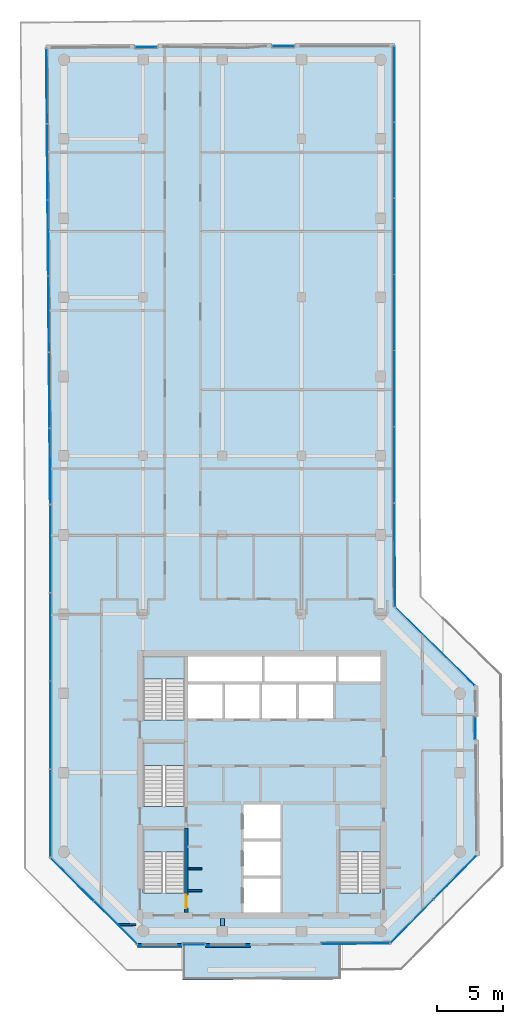
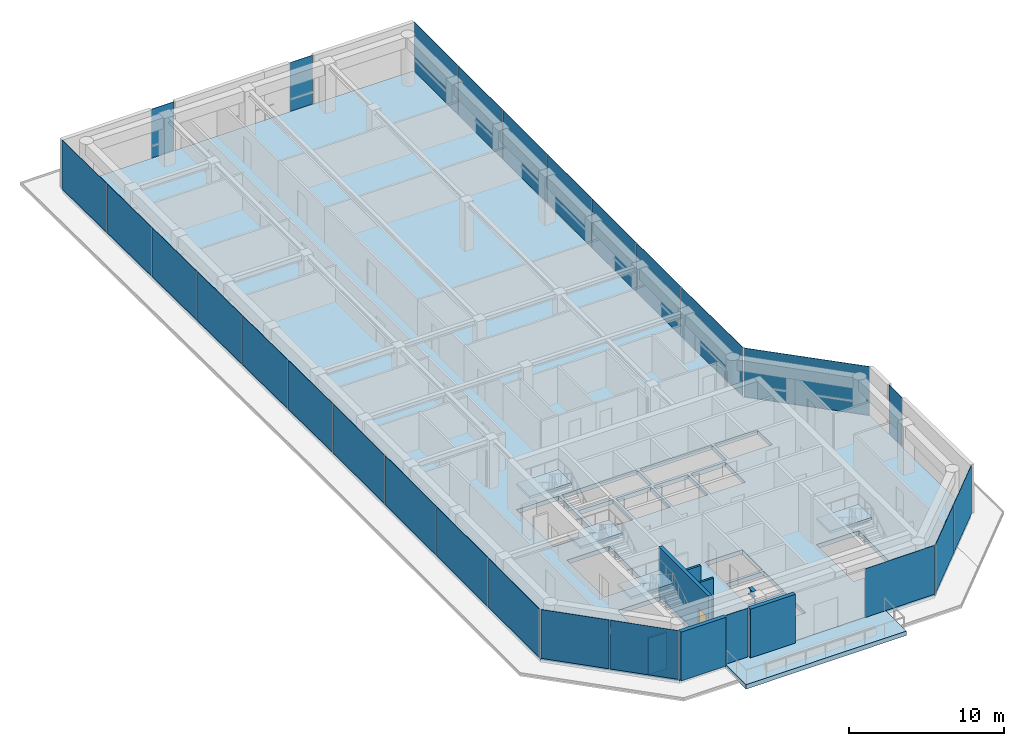
# One storey, part 13 of 19: 27 plates, 6 slabs, 6 walls, 1 beam, 1 door, 1 opening, 16 elements without a shape of their own.
"""IFC4 building model written with IfcOpenShell, lengths in metres."""

from ifc_helpers import new_model, si_unit, direction, frame, frame_2d, origin, origin_2d, place, context, subcontext, project, spatial, polyline, rectangle, i_section, outline, extrude, material, layer, layer_set, material_profile, profile_set, type_object, element, fill, aggregate, save


model = new_model("IFC4")

# Units and contexts
model_context = context("Model", 3, precision=1e-05, world=origin(), true_north=direction((0.0, 1.0)))
body_context = subcontext(model_context, "Body", "Model", "MODEL_VIEW")
ifc_project = project(units=[si_unit("LENGTHUNIT", "METRE"), si_unit("AREAUNIT", "SQUARE_METRE"), si_unit("VOLUMEUNIT", "CUBIC_METRE"), si_unit("PLANEANGLEUNIT", "RADIAN"), si_unit("MASSUNIT", "GRAM", prefix="KILO")], contexts=[model_context])

# Site, building, storey
site_placement = place(None, origin())
site = spatial("IfcSite", under=ifc_project, at=site_placement, CompositionType="ELEMENT")
building_placement = place(site_placement, origin())
building = spatial("IfcBuilding", under=site, at=building_placement, Name="Welwitschia Terrace Campus", CompositionType="ELEMENT")
storey_placement = place(building_placement, frame((0.0, 0.0, 226.39990234375)))
storey = spatial("IfcBuildingStorey", under=building, at=storey_placement, Name="L50", CompositionType="ELEMENT", Elevation=226.39990234375)

# Beam
ifc_material_1 = material(Name="Steel S355", Category="steel")
ifc_material_profile = material_profile(ifc_material_1, i_section(OverallWidth=0.300048828125, OverallDepth=0.489990234375, WebThickness=0.011962890625, FlangeThickness=0.02294921875, FilletRadius=0.027099609375, at=origin_2d()))
ifc_profile_set = profile_set([ifc_material_profile], Name="Steel S355")
beam_type = type_object("IfcBeamType", Name="Primary beam HE 500 A", PredefinedType="BEAM", material=ifc_profile_set)
beam_placement = place(storey_placement, frame((12.0, 4.400390625, 3.60498046875), z_axis=(0.0, 1.0, 0.0), x_axis=(-1.0, 0.0, 0.0)))
element("IfcBeam", 1, at=beam_placement, inside=storey, type_object=beam_type, Name="Primary beam PB5", PredefinedType="BEAM", context=body_context, shape_type="SweptSolid", body=[
    extrude(i_section(OverallWidth=0.300048828125, OverallDepth=0.489990234375, WebThickness=0.011962890625, FlangeThickness=0.02294921875, FilletRadius=0.027099609375, at=origin_2d()), origin(), (0.0, 0.0, 1.0), 0.549560546875),
])

# Curtain wall, plates
ifc_material_2 = material(Name="Bronze anodised aluminium", Category="aluminium")
ifc_layer_1 = layer(ifc_material_2, 0.1201171875)
ifc_layer_set_1 = layer_set([ifc_layer_1], Name="Bronze anodised aluminium")
curtain_wall_type = type_object("IfcCurtainWallType", Name="Curtain wall CW2 tower 6000", PredefinedType="NOTDEFINED", material=ifc_layer_set_1)
curtain_wall_1_placement = place(storey_placement, origin())
curtain_wall_1 = element("IfcCurtainWall", 2, at=curtain_wall_1_placement, inside=storey, type_object=curtain_wall_type, Name="CW L50.0.0", PredefinedType="NOTDEFINED")
ifc_material_3 = material(Name="Tinted bronze-grey glass", Category="glass")
ifc_layer_2 = layer(ifc_material_3, 0.028076171875)
ifc_layer_set_2 = layer_set([ifc_layer_2], Name="Tinted bronze-grey glass")
plate_type = type_object("IfcPlateType", Name="Glass panel 28 tinted", PredefinedType="CURTAIN_PANEL", material=ifc_layer_set_2)
plate_1_placement = place(storey_placement, frame((-1.306396484375, 68.00146484375, 0.0), z_axis=(0.0, 0.0, 1.0), x_axis=(0.008726535498, -0.999961923064, 0.0)))
plate_1 = element("IfcPlate", 3, at=plate_1_placement, type_object=plate_type, Name="Panel L50.0.0.0", PredefinedType="CURTAIN_PANEL", context=body_context, shape_type="SweptSolid", body=[
    extrude(rectangle(XDim=5.6728515625, YDim=0.028076171875, at=origin_2d()), origin(), (0.0, 0.0, 1.0), 3.85009765625),
])
plate_2_placement = place(storey_placement, frame((-1.25634765625, 62.25390625, 0.0), z_axis=(0.0, 0.0, 1.0), x_axis=(0.008726535498, -0.999961923064, 0.0)))
plate_2 = element("IfcPlate", 4, at=plate_2_placement, type_object=plate_type, Name="Panel L50.0.0.1", PredefinedType="CURTAIN_PANEL", context=body_context, shape_type="SweptSolid", body=[
    extrude(rectangle(XDim=5.70263671875, YDim=0.028076171875, at=origin_2d()), origin(), (0.0, 0.0, 1.0), 3.85009765625),
])
plate_3_placement = place(storey_placement, frame((-1.2060546875, 56.491455078125, 0.0), z_axis=(0.0, 0.0, 1.0), x_axis=(0.008726535498, -0.999961923064, 0.0)))
plate_3 = element("IfcPlate", 5, at=plate_3_placement, type_object=plate_type, Name="Panel L50.0.0.2", PredefinedType="CURTAIN_PANEL", context=body_context, shape_type="SweptSolid", body=[
    extrude(rectangle(XDim=5.70263671875, YDim=0.028076171875, at=origin_2d()), origin(), (0.0, 0.0, 1.0), 3.85009765625),
])
plate_4_placement = place(storey_placement, frame((-1.15576171875, 50.72900390625, 0.0), z_axis=(0.0, 0.0, 1.0), x_axis=(0.008726535498, -0.999961923064, 0.0)))
plate_4 = element("IfcPlate", 6, at=plate_4_placement, type_object=plate_type, Name="Panel L50.0.0.3", PredefinedType="CURTAIN_PANEL", context=body_context, shape_type="SweptSolid", body=[
    extrude(rectangle(XDim=5.70263671875, YDim=0.028076171875, at=origin_2d()), origin(), (0.0, 0.0, 1.0), 3.85009765625),
])
plate_5_placement = place(storey_placement, frame((-1.10546875, 44.96630859375, 0.0), z_axis=(0.0, 0.0, 1.0), x_axis=(0.008726535498, -0.999961923064, 0.0)))
plate_5 = element("IfcPlate", 7, at=plate_5_placement, type_object=plate_type, Name="Panel L50.0.0.4", PredefinedType="CURTAIN_PANEL", context=body_context, shape_type="SweptSolid", body=[
    extrude(rectangle(XDim=5.70263671875, YDim=0.028076171875, at=origin_2d()), origin(), (0.0, 0.0, 1.0), 3.85009765625),
])
plate_6_placement = place(storey_placement, frame((-1.05517578125, 39.218994140625, 0.0), z_axis=(0.0, 0.0, 1.0), x_axis=(0.008726535498, -0.999961923064, 0.0)))
plate_6 = element("IfcPlate", 8, at=plate_6_placement, type_object=plate_type, Name="Panel L50.0.0.5", PredefinedType="CURTAIN_PANEL", context=body_context, shape_type="SweptSolid", body=[
    extrude(rectangle(XDim=5.6728515625, YDim=0.028076171875, at=origin_2d()), origin(), (0.0, 0.0, 1.0), 3.85009765625),
])
aggregate(curtain_wall_1, [plate_1, plate_2, plate_3, plate_4, plate_5, plate_6])

curtain_wall_2_placement = place(storey_placement, origin())
curtain_wall_2 = element("IfcCurtainWall", 9, at=curtain_wall_2_placement, inside=storey, type_object=curtain_wall_type, Name="CW L50.1.0", PredefinedType="NOTDEFINED")
plate_7_placement = place(storey_placement, frame((-1.030029296875, 32.9638671875, 0.0), z_axis=(0.0, 0.0, 1.0), x_axis=(0.0, -1.0, 0.0)))
plate_7 = element("IfcPlate", 10, at=plate_7_placement, type_object=plate_type, Name="Panel L50.1.0.0", PredefinedType="CURTAIN_PANEL", context=body_context, shape_type="SweptSolid", body=[
    extrude(rectangle(XDim=6.597412109375, YDim=0.028076171875, at=origin_2d()), origin(), (0.0, 0.0, 1.0), 3.85009765625),
])
plate_8_placement = place(storey_placement, frame((-1.030029296875, 26.291748046875, 0.0), z_axis=(0.0, 0.0, 1.0), x_axis=(0.0, -1.0, 0.0)))
plate_8 = element("IfcPlate", 11, at=plate_8_placement, type_object=plate_type, Name="Panel L50.1.0.1", PredefinedType="CURTAIN_PANEL", context=body_context, shape_type="SweptSolid", body=[
    extrude(rectangle(XDim=6.627197265625, YDim=0.028076171875, at=origin_2d()), origin(), (0.0, 0.0, 1.0), 3.85009765625),
])
plate_9_placement = place(storey_placement, frame((-1.030029296875, 19.604248046875, 0.0), z_axis=(0.0, 0.0, 1.0), x_axis=(0.0, -1.0, 0.0)))
plate_9 = element("IfcPlate", 12, at=plate_9_placement, type_object=plate_type, Name="Panel L50.1.0.2", PredefinedType="CURTAIN_PANEL", context=body_context, shape_type="SweptSolid", body=[
    extrude(rectangle(XDim=6.627197265625, YDim=0.028076171875, at=origin_2d()), origin(), (0.0, 0.0, 1.0), 3.85009765625),
])
plate_10_placement = place(storey_placement, frame((-1.030029296875, 12.93212890625, 0.0), z_axis=(0.0, 0.0, 1.0), x_axis=(0.0, -1.0, 0.0)))
plate_10 = element("IfcPlate", 13, at=plate_10_placement, type_object=plate_type, Name="Panel L50.1.0.3", PredefinedType="CURTAIN_PANEL", context=body_context, shape_type="SweptSolid", body=[
    extrude(rectangle(XDim=6.597412109375, YDim=0.028076171875, at=origin_2d()), origin(), (0.0, 0.0, 1.0), 3.85009765625),
])
aggregate(curtain_wall_2, [plate_7, plate_8, plate_9, plate_10])

curtain_wall_3_placement = place(storey_placement, origin())
curtain_wall_3 = element("IfcCurtainWall", 14, at=curtain_wall_3_placement, inside=storey, type_object=curtain_wall_type, Name="CW L50.2.0", PredefinedType="NOTDEFINED")
plate_11_placement = place(storey_placement, frame((0.63134765625, 7.911865234375, 0.0), z_axis=(0.0, 0.0, 1.0), x_axis=(0.707106781187, -0.707106781187, 0.0)))
plate_11 = element("IfcPlate", 15, at=plate_11_placement, type_object=plate_type, Name="Panel L50.2.0.0", PredefinedType="CURTAIN_PANEL", context=body_context, shape_type="SweptSolid", body=[
    extrude(rectangle(XDim=4.579345703125, YDim=0.028076171875, at=origin_2d()), origin(), (0.0, 0.0, 1.0), 3.85009765625),
])
plate_12_placement = place(storey_placement, frame((3.911865234375, 4.63134765625, 0.0), z_axis=(0.0, 0.0, 1.0), x_axis=(0.707106781187, -0.707106781187, 0.0)))
plate_12 = element("IfcPlate", 16, at=plate_12_placement, type_object=plate_type, Name="Panel L50.2.0.1", PredefinedType="CURTAIN_PANEL", context=body_context, shape_type="SweptSolid", body=[
    extrude(rectangle(XDim=4.579345703125, YDim=0.028076171875, at=origin_2d()), origin(), (0.0, 0.0, 1.0), 3.85009765625),
])
aggregate(curtain_wall_3, [plate_11, plate_12])

# Curtain wall, plate
curtain_wall_4_placement = place(storey_placement, origin())
curtain_wall_4 = element("IfcCurtainWall", 17, at=curtain_wall_4_placement, inside=storey, type_object=curtain_wall_type, Name="CW L50.3.S0", PredefinedType="NOTDEFINED")
plate_13_placement = place(storey_placement, frame((9.84619140625, 2.969970703125, 0.0), z_axis=(0.0, 0.0, 1.0), x_axis=(1.0, 0.0, 0.0)))
plate_13 = element("IfcPlate", 18, at=plate_13_placement, type_object=plate_type, Name="Panel L50.3.S0.0", PredefinedType="CURTAIN_PANEL", context=body_context, shape_type="SweptSolid", body=[
    extrude(rectangle(XDim=1.679931640625, YDim=0.028076171875, at=origin_2d()), origin(), (0.0, 0.0, 1.0), 3.85009765625),
])
aggregate(curtain_wall_4, [plate_13])

curtain_wall_5_placement = place(storey_placement, origin())
curtain_wall_5 = element("IfcCurtainWall", 19, at=curtain_wall_5_placement, inside=storey, type_object=curtain_wall_type, Name="CW L50.4.1", PredefinedType="NOTDEFINED")
plate_14_placement = place(storey_placement, frame((22.068115234375, 3.039306640625, 0.0), z_axis=(0.0, 0.0, 1.0), x_axis=(0.999961923064, 0.008726535498, 0.0)))
plate_14 = element("IfcPlate", 20, at=plate_14_placement, type_object=plate_type, Name="Panel L50.4.1.0", PredefinedType="CURTAIN_PANEL", context=body_context, shape_type="SweptSolid", body=[
    extrude(rectangle(XDim=5.1796875, YDim=0.028076171875, at=origin_2d()), origin(), (0.0, 0.0, 1.0), 3.85009765625),
])
aggregate(curtain_wall_5, [plate_14])

# Curtain wall, plates
curtain_wall_6_placement = place(storey_placement, origin())
curtain_wall_6 = element("IfcCurtainWall", 21, at=curtain_wall_6_placement, inside=storey, type_object=curtain_wall_type, Name="CW L50.5.0", PredefinedType="NOTDEFINED")
plate_15_placement = place(storey_placement, frame((26.36474609375, 4.73828125, 0.0), z_axis=(0.0, 0.0, 1.0), x_axis=(0.7009092643, 0.713250449154, 0.0)))
plate_15 = element("IfcPlate", 22, at=plate_15_placement, type_object=plate_type, Name="Panel L50.5.0.0", PredefinedType="CURTAIN_PANEL", context=body_context, shape_type="SweptSolid", body=[
    extrude(rectangle(XDim=4.579345703125, YDim=0.028076171875, at=origin_2d()), origin(), (0.0, 0.0, 1.0), 3.85009765625),
])
plate_16_placement = place(storey_placement, frame((29.616455078125, 8.04736328125, 0.0), z_axis=(0.0, 0.0, 1.0), x_axis=(0.7009092643, 0.713250449154, 0.0)))
plate_16 = element("IfcPlate", 23, at=plate_16_placement, type_object=plate_type, Name="Panel L50.5.0.1", PredefinedType="CURTAIN_PANEL", context=body_context, shape_type="SweptSolid", body=[
    extrude(rectangle(XDim=4.579345703125, YDim=0.028076171875, at=origin_2d()), origin(), (0.0, 0.0, 1.0), 3.85009765625),
])
aggregate(curtain_wall_6, [plate_15, plate_16])

# Curtain wall, plate
curtain_wall_7_placement = place(storey_placement, origin())
curtain_wall_7 = element("IfcCurtainWall", 24, at=curtain_wall_7_placement, inside=storey, type_object=curtain_wall_type, Name="CW L50.6.S0", PredefinedType="NOTDEFINED")
plate_17_placement = place(storey_placement, frame((31.17919921875, 19.36279296875, 0.0), z_axis=(0.0, 0.0, 1.0), x_axis=(-0.008726535498, 0.999961923064, 0.0)))
plate_17 = element("IfcPlate", 25, at=plate_17_placement, type_object=plate_type, Name="Panel L50.6.S0.0", PredefinedType="CURTAIN_PANEL", context=body_context, shape_type="SweptSolid", body=[
    extrude(rectangle(XDim=1.679931640625, YDim=0.028076171875, at=origin_2d()), origin(), (0.0, 0.0, 1.0), 3.85009765625),
])
aggregate(curtain_wall_7, [plate_17])

curtain_wall_8_placement = place(storey_placement, origin())
curtain_wall_8 = element("IfcCurtainWall", 26, at=curtain_wall_8_placement, inside=storey, type_object=curtain_wall_type, Name="CW L50.7.0", PredefinedType="NOTDEFINED")
plate_18_placement = place(storey_placement, frame((28.125, 25.5498046875, 0.0), z_axis=(0.0, 0.0, 1.0), x_axis=(-0.713250449154, 0.7009092643, 0.0)))
plate_18 = element("IfcPlate", 27, at=plate_18_placement, type_object=plate_type, Name="Panel L50.7.0.0", PredefinedType="CURTAIN_PANEL", context=body_context, shape_type="SweptSolid", body=[
    extrude(rectangle(XDim=8.365234375, YDim=0.028076171875, at=origin_2d()), origin(), (0.0, 0.0, 1.0), 3.85009765625),
])
aggregate(curtain_wall_8, [plate_18])

curtain_wall_9_placement = place(storey_placement, origin())
curtain_wall_9 = element("IfcCurtainWall", 28, at=curtain_wall_9_placement, inside=storey, type_object=curtain_wall_type, Name="CW L50.8.0", PredefinedType="NOTDEFINED")
plate_19_placement = place(storey_placement, frame((25.064453125, 32.47998046875, 0.0), z_axis=(0.0, 0.0, 1.0), x_axis=(-0.008726535498, 0.999961923064, 0.0)))
plate_19 = element("IfcPlate", 29, at=plate_19_placement, type_object=plate_type, Name="Panel L50.8.0.0", PredefinedType="CURTAIN_PANEL", context=body_context, shape_type="SweptSolid", body=[
    extrude(rectangle(XDim=7.793212890625, YDim=0.028076171875, at=origin_2d()), origin(), (0.0, 0.0, 1.0), 3.85009765625),
])
aggregate(curtain_wall_9, [plate_19])

# Curtain wall, plates
curtain_wall_10_placement = place(storey_placement, origin())
curtain_wall_10 = element("IfcCurtainWall", 30, at=curtain_wall_10_placement, inside=storey, type_object=curtain_wall_type, Name="CW L50.9.0", PredefinedType="NOTDEFINED")
plate_20_placement = place(storey_placement, frame((25.030029296875, 39.334228515625, 0.0), z_axis=(0.0, 0.0, 1.0), x_axis=(0.0, 1.0, 0.0)))
plate_20 = element("IfcPlate", 31, at=plate_20_placement, type_object=plate_type, Name="Panel L50.9.0.0", PredefinedType="CURTAIN_PANEL", context=body_context, shape_type="SweptSolid", body=[
    extrude(rectangle(XDim=5.675537109375, YDim=0.028076171875, at=origin_2d()), origin(), (0.0, 0.0, 1.0), 3.85009765625),
])
plate_21_placement = place(storey_placement, frame((25.030029296875, 45.084716796875, 0.0), z_axis=(0.0, 0.0, 1.0), x_axis=(0.0, 1.0, 0.0)))
plate_21 = element("IfcPlate", 32, at=plate_21_placement, type_object=plate_type, Name="Panel L50.9.0.1", PredefinedType="CURTAIN_PANEL", context=body_context, shape_type="SweptSolid", body=[
    extrude(rectangle(XDim=5.70556640625, YDim=0.028076171875, at=origin_2d()), origin(), (0.0, 0.0, 1.0), 3.85009765625),
])
plate_22_placement = place(storey_placement, frame((25.030029296875, 50.850341796875, 0.0), z_axis=(0.0, 0.0, 1.0), x_axis=(0.0, 1.0, 0.0)))
plate_22 = element("IfcPlate", 33, at=plate_22_placement, type_object=plate_type, Name="Panel L50.9.0.2", PredefinedType="CURTAIN_PANEL", context=body_context, shape_type="SweptSolid", body=[
    extrude(rectangle(XDim=5.70556640625, YDim=0.028076171875, at=origin_2d()), origin(), (0.0, 0.0, 1.0), 3.85009765625),
])
plate_23_placement = place(storey_placement, frame((25.030029296875, 56.615966796875, 0.0), z_axis=(0.0, 0.0, 1.0), x_axis=(0.0, 1.0, 0.0)))
plate_23 = element("IfcPlate", 34, at=plate_23_placement, type_object=plate_type, Name="Panel L50.9.0.3", PredefinedType="CURTAIN_PANEL", context=body_context, shape_type="SweptSolid", body=[
    extrude(rectangle(XDim=5.70556640625, YDim=0.028076171875, at=origin_2d()), origin(), (0.0, 0.0, 1.0), 3.85009765625),
])
plate_24_placement = place(storey_placement, frame((25.030029296875, 62.381591796875, 0.0), z_axis=(0.0, 0.0, 1.0), x_axis=(0.0, 1.0, 0.0)))
plate_24 = element("IfcPlate", 35, at=plate_24_placement, type_object=plate_type, Name="Panel L50.9.0.4", PredefinedType="CURTAIN_PANEL", context=body_context, shape_type="SweptSolid", body=[
    extrude(rectangle(XDim=5.70556640625, YDim=0.028076171875, at=origin_2d()), origin(), (0.0, 0.0, 1.0), 3.85009765625),
])
plate_25_placement = place(storey_placement, frame((25.030029296875, 68.132080078125, 0.0), z_axis=(0.0, 0.0, 1.0), x_axis=(0.0, 1.0, 0.0)))
plate_25 = element("IfcPlate", 36, at=plate_25_placement, type_object=plate_type, Name="Panel L50.9.0.5", PredefinedType="CURTAIN_PANEL", context=body_context, shape_type="SweptSolid", body=[
    extrude(rectangle(XDim=5.675537109375, YDim=0.028076171875, at=origin_2d()), origin(), (0.0, 0.0, 1.0), 3.85009765625),
])
aggregate(curtain_wall_10, [plate_20, plate_21, plate_22, plate_23, plate_24, plate_25])

# Curtain wall, plate
curtain_wall_11_placement = place(storey_placement, origin())
curtain_wall_11 = element("IfcCurtainWall", 37, at=curtain_wall_11_placement, inside=storey, type_object=curtain_wall_type, Name="CW L50.10.S0", PredefinedType="NOTDEFINED")
plate_26_placement = place(storey_placement, frame((16.623779296875, 71.030029296875, 0.0), z_axis=(0.0, 0.0, 1.0), x_axis=(-1.0, 0.0, 0.0)))
plate_26 = element("IfcPlate", 38, at=plate_26_placement, type_object=plate_type, Name="Panel L50.10.S0.0", PredefinedType="CURTAIN_PANEL", context=body_context, shape_type="SweptSolid", body=[
    extrude(rectangle(XDim=1.679931640625, YDim=0.028076171875, at=origin_2d()), origin(), (0.0, 0.0, 1.0), 3.85009765625),
])
aggregate(curtain_wall_11, [plate_26])

curtain_wall_12_placement = place(storey_placement, origin())
curtain_wall_12 = element("IfcCurtainWall", 39, at=curtain_wall_12_placement, inside=storey, type_object=curtain_wall_type, Name="CW L50.11.S0", PredefinedType="NOTDEFINED")
plate_27_placement = place(storey_placement, frame((6.2451171875, 70.9638671875, 0.0), z_axis=(0.0, 0.0, 1.0), x_axis=(-0.999961923064, -0.008726535498, 0.0)))
plate_27 = element("IfcPlate", 40, at=plate_27_placement, type_object=plate_type, Name="Panel L50.11.S0.0", PredefinedType="CURTAIN_PANEL", context=body_context, shape_type="SweptSolid", body=[
    extrude(rectangle(XDim=1.679931640625, YDim=0.028076171875, at=origin_2d()), origin(), (0.0, 0.0, 1.0), 3.85009765625),
])
aggregate(curtain_wall_12, [plate_27])

# Stair, slab
ifc_material_4 = material(Name="Concrete C40/50", Category="concrete")
stair_type = type_object("IfcStairType", Name="Stair 24R 175 W1500", PredefinedType="HALF_TURN_STAIR", material=ifc_material_4)
stair_1_placement = place(storey_placement, origin())
stair_1 = element("IfcStair", 41, at=stair_1_placement, inside=storey, type_object=stair_type, Name="L50 Exit stair S1", PredefinedType="HALF_TURN_STAIR")
ifc_material_5 = material(Name="Concrete C40/50", Category="concrete")
ifc_layer_3 = layer(ifc_material_5, 0.199951171875)
ifc_layer_set_3 = layer_set([ifc_layer_3], Name="Concrete C40/50")
slab_type_1 = type_object("IfcSlabType", Name="Stair landing RC", PredefinedType="LANDING", material=ifc_layer_set_3)
slab_1_placement = place(storey_placement, frame((0.0, 0.0, 1.900146484375)))
slab_1 = element("IfcSlab", 42, at=slab_1_placement, type_object=slab_type_1, Name="S1 landing 1", PredefinedType="LANDING", context=body_context, shape_type="SweptSolid", body=[
    extrude(outline(polyline([(9.14990234375, 9.97998046875), (9.14990234375, 11.699951171875), (6.0, 11.699951171875), (6.0, 9.97998046875), (9.14990234375, 9.97998046875)])), origin(), (0.0, 0.0, 1.0), 0.199951171875),
])
aggregate(stair_1, [slab_1])

stair_2_placement = place(storey_placement, origin())
stair_2 = element("IfcStair", 43, at=stair_2_placement, inside=storey, type_object=stair_type, Name="L50 Exit stair S3", PredefinedType="HALF_TURN_STAIR")
slab_2_placement = place(storey_placement, frame((0.0, 0.0, 1.900146484375)))
slab_2 = element("IfcSlab", 44, at=slab_2_placement, type_object=slab_type_1, Name="S3 landing 1", PredefinedType="LANDING", context=body_context, shape_type="SweptSolid", body=[
    extrude(outline(polyline([(9.14990234375, 16.530029296875), (9.14990234375, 18.25), (6.0, 18.25), (6.0, 16.530029296875), (9.14990234375, 16.530029296875)])), origin(), (0.0, 0.0, 1.0), 0.199951171875),
])
aggregate(stair_2, [slab_2])

stair_3_placement = place(storey_placement, origin())
stair_3 = element("IfcStair", 45, at=stair_3_placement, inside=storey, type_object=stair_type, Name="L50 Exit stair S4", PredefinedType="HALF_TURN_STAIR")
slab_3_placement = place(storey_placement, frame((0.0, 0.0, 1.900146484375)))
slab_3 = element("IfcSlab", 46, at=slab_3_placement, type_object=slab_type_1, Name="S4 landing 1", PredefinedType="LANDING", context=body_context, shape_type="SweptSolid", body=[
    extrude(outline(polyline([(9.14990234375, 23.080078125), (9.14990234375, 24.800048828125), (6.0, 24.800048828125), (6.0, 23.080078125), (9.14990234375, 23.080078125)])), origin(), (0.0, 0.0, 1.0), 0.199951171875),
])
aggregate(stair_3, [slab_3])

stair_4_placement = place(storey_placement, origin())
stair_4 = element("IfcStair", 47, at=stair_4_placement, inside=storey, type_object=stair_type, Name="L50 Exit stair S2", PredefinedType="HALF_TURN_STAIR")
slab_4_placement = place(storey_placement, frame((0.0, 0.0, 1.900146484375)))
slab_4 = element("IfcSlab", 48, at=slab_4_placement, type_object=slab_type_1, Name="S2 landing 1", PredefinedType="LANDING", context=body_context, shape_type="SweptSolid", body=[
    extrude(outline(polyline([(24.0, 9.97998046875), (24.0, 11.699951171875), (20.85009765625, 11.699951171875), (20.85009765625, 9.97998046875), (24.0, 9.97998046875)])), origin(), (0.0, 0.0, 1.0), 0.199951171875),
])
aggregate(stair_4, [slab_4])

# Slabs
ifc_material_6 = material(Name="Concrete C40/50", Category="concrete")
ifc_layer_4 = layer(ifc_material_6, 0.35009765625)
ifc_layer_set_4 = layer_set([ifc_layer_4], Name="Concrete C40/50")
slab_type_2 = type_object("IfcSlabType", Name="Suspended floor slab 350", PredefinedType="FLOOR", material=ifc_layer_set_4)
slab_5_placement = place(storey_placement, frame((0.0, 0.0, -0.349853515625)))
element("IfcSlab", 49, at=slab_5_placement, inside=storey, type_object=slab_type_2, Name="Floor slab L50", PredefinedType="FLOOR", context=body_context, shape_type="SweptSolid", body=[
    extrude(outline(polyline([(25.0, 71.0), (25.0, 36.436279296875), (25.069091796875, 28.5107421875), (31.121337890625, 22.563232421875), (31.233154296875, 9.7353515625), (24.705078125, 3.09228515625), (21.001953125, 3.06005859375), (21.001953125, 3.074951171875), (20.462646484375, 3.0703125), (20.462646484375, 3.055419921875), (14.11865234375, 3.0), (9.399658203125, 3.0), (9.399658203125, 3.014892578125), (8.998046875, 3.014892578125), (8.998046875, 3.0), (5.585693359375, 3.0), (-1.0, 9.585693359375), (-1.0, 36.32275390625), (-1.301513671875, 70.867919921875), (13.822021484375, 71.0), (25.0, 71.0)]), holes=[polyline([(13.60009765625, 5.39990234375), (16.39990234375, 5.39990234375), (16.39990234375, 8.0), (13.60009765625, 8.0), (13.60009765625, 5.39990234375)]), polyline([(6.0, 11.699951171875), (6.0, 6.902099609375), (9.14990234375, 6.902099609375), (9.14990234375, 11.699951171875), (6.0, 11.699951171875)]), polyline([(6.0, 18.25), (6.0, 13.451904296875), (9.14990234375, 13.451904296875), (9.14990234375, 18.25), (6.0, 18.25)]), polyline([(9.39990234375, 22.699951171875), (9.39990234375, 20.10009765625), (12.0, 20.10009765625), (12.0, 22.699951171875), (9.39990234375, 22.699951171875)]), polyline([(12.199951171875, 22.699951171875), (12.199951171875, 20.10009765625), (14.800048828125, 20.10009765625), (14.800048828125, 22.699951171875), (12.199951171875, 22.699951171875)]), polyline([(6.0, 24.800048828125), (6.0, 20.001953125), (9.14990234375, 20.001953125), (9.14990234375, 24.800048828125), (6.0, 24.800048828125)]), polyline([(9.39990234375, 24.800048828125), (9.39990234375, 22.89990234375), (15.0, 22.89990234375), (15.0, 24.800048828125), (9.39990234375, 24.800048828125)]), polyline([(20.85009765625, 6.902099609375), (24.0, 6.902099609375), (24.0, 11.699951171875), (20.85009765625, 11.699951171875), (20.85009765625, 6.902099609375)]), polyline([(13.60009765625, 10.800048828125), (13.60009765625, 8.199951171875), (16.39990234375, 8.199951171875), (16.39990234375, 10.800048828125), (13.60009765625, 10.800048828125)]), polyline([(13.60009765625, 13.60009765625), (13.60009765625, 11.0), (16.39990234375, 11.0), (16.39990234375, 13.60009765625), (13.60009765625, 13.60009765625)]), polyline([(15.0, 22.699951171875), (15.0, 20.10009765625), (17.60009765625, 20.10009765625), (17.60009765625, 22.699951171875), (15.0, 22.699951171875)]), polyline([(17.800048828125, 22.699951171875), (17.800048828125, 20.10009765625), (20.39990234375, 20.10009765625), (20.39990234375, 22.699951171875), (17.800048828125, 22.699951171875)]), polyline([(15.199951171875, 24.800048828125), (15.199951171875, 22.89990234375), (20.60009765625, 22.89990234375), (20.60009765625, 24.800048828125), (15.199951171875, 24.800048828125)]), polyline([(20.800048828125, 24.800048828125), (20.800048828125, 22.89990234375), (24.0, 22.89990234375), (24.0, 24.800048828125), (20.800048828125, 24.800048828125)])]), origin(), (0.0, 0.0, 1.0), 0.349853515625),
])
ifc_material_7 = material(Name="Concrete C40/50", Category="concrete")
ifc_layer_5 = layer(ifc_material_7, 0.35009765625)
ifc_layer_set_5 = layer_set([ifc_layer_5], Name="Concrete C40/50")
slab_type_3 = type_object("IfcSlabType", Name="Terrace slab 350", PredefinedType="FLOOR", material=ifc_layer_set_5)
slab_6_placement = place(storey_placement, frame((0.0, 0.0, -0.349853515625)))
element("IfcSlab", 50, at=slab_6_placement, inside=storey, type_object=slab_type_3, Name="Terrace slab", PredefinedType="FLOOR", context=body_context, shape_type="SweptSolid", body=[
    extrude(outline(polyline([(9.0, 0.300048828125), (9.0, 2.985107421875), (9.399658203125, 2.985107421875), (9.399658203125, 3.0), (14.11865234375, 3.0), (20.462646484375, 3.055419921875), (20.462890625, 3.040283203125), (21.0, 3.045166015625), (21.0, 0.35986328125), (9.0, 0.300048828125)])), origin(), (0.0, 0.0, 1.0), 0.349853515625),
])

# Walls
ifc_material_8 = material(Name="Concrete C50/60", Category="concrete")
ifc_layer_6 = layer(ifc_material_8, 0.14990234375)
ifc_layer_set_6 = layer_set([ifc_layer_6], Name="Concrete C50/60")
wall_type_1 = type_object("IfcWallType", Name="Core wall 150 Concrete C50/60", PredefinedType="SHEAR", material=ifc_layer_set_6)
for number, where, z_axis, x_axis, name in (
    (51, (9.39990234375, 7.074951171875, 0.0), (0.0, 0.0, 1.0), (1.0, 0.0, 0.0), "Core wall"),
    (52, (9.39990234375, 8.72509765625, 0.0), (0.0, 0.0, 1.0), (1.0, 0.0, 0.0), "Core wall"),
):
    element("IfcWall", number, at=place(storey_placement, frame(where, z_axis=z_axis, x_axis=x_axis)), inside=storey, type_object=wall_type_1, Name=name, PredefinedType="SHEAR", context=body_context, shape_type="SweptSolid", body=[
        extrude(rectangle(XDim=1.050048828125, YDim=0.14990234375, at=frame_2d((0.52490234375, 0.0))), origin(), (0.0, 0.0, 1.0), 3.85009765625),
    ])

# Wall, opening, door
ifc_material_9 = material(Name="Concrete C50/60", Category="concrete")
ifc_layer_7 = layer(ifc_material_9, 0.25)
ifc_layer_set_7 = layer_set([ifc_layer_7], Name="Concrete C50/60")
wall_type_2 = type_object("IfcWallType", Name="Core wall 250 Concrete C50/60", PredefinedType="SHEAR", material=ifc_layer_set_7)
wall_1_placement = place(storey_placement, frame((9.27490234375, 11.824951171875, 0.0), z_axis=(0.0, 0.0, 1.0), x_axis=(0.0, -1.0, 0.0)))
wall_1 = element("IfcWall", 53, at=wall_1_placement, inside=storey, type_object=wall_type_2, Name="Core wall", PredefinedType="SHEAR", context=body_context, shape_type="SweptSolid", body=[
    extrude(rectangle(XDim=6.425048828125, YDim=0.25, at=frame_2d((3.21240234375, 0.0))), origin(), (0.0, 0.0, 1.0), 3.85009765625),
])
opening_placement = place(wall_1_placement, frame((5.074951171875, 0.0, 0.0)))
opening = element("IfcOpeningElement", 54, at=opening_placement, cuts=wall_1, Name="Opening DS10", PredefinedType="OPENING", context=body_context, shape_type="SweptSolid", body=[
    extrude(rectangle(XDim=1.0, YDim=2.10009765625, at=frame_2d((0.5, 1.050048828125))), frame((0.0, 0.135009765625, 0.0), z_axis=(0.0, -1.0, 0.0), x_axis=(1.0, 0.0, 0.0)), (0.0, 0.0, 1.0), 0.27001953125),
])
ifc_material_10 = material(Name="Steel S275", Category="steel")
door_type = type_object("IfcDoorType", Name="Core door DS10", OperationType="SINGLE_SWING_LEFT", PredefinedType="DOOR", material=ifc_material_10)
door_placement = place(opening_placement, origin())
door = element("IfcDoor", 55, at=door_placement, inside=storey, type_object=door_type, Name="Door S1-FL", OperationType="SINGLE_SWING_RIGHT", OverallHeight=2.10009765625, OverallWidth=1.0, PredefinedType="DOOR", context=body_context, shape_type="SweptSolid", body=[
    extrude(rectangle(XDim=1.0, YDim=2.10009765625, at=frame_2d((0.5, 1.050048828125))), frame((0.0, 0.02490234375, 0.0), z_axis=(0.0, -1.0, 0.0), x_axis=(1.0, 0.0, 0.0)), (0.0, 0.0, 1.0), 0.050048828125),
])
fill(opening, door)

# Walls
ifc_material_11 = material(Name="Gypsum board on steel studs", Category="steel")
ifc_layer_8 = layer(ifc_material_11, 0.14990234375)
ifc_layer_set_8 = layer_set([ifc_layer_8], Name="Gypsum board on steel studs")
wall_type_3 = type_object("IfcWallType", Name="Corridor partition 150 EI 30", PredefinedType="PARTITIONING", material=ifc_layer_set_8)
wall_2_placement = place(storey_placement, frame((4.110107421875, 4.5, 0.0), z_axis=(0.0, 0.0, 1.0), x_axis=(1.0, 0.0, 0.0)))
element("IfcWall", 56, at=wall_2_placement, inside=storey, type_object=wall_type_3, Name="Partition", PredefinedType="PARTITIONING", context=body_context, shape_type="SweptSolid", body=[
    extrude(rectangle(XDim=1.33984375, YDim=0.14990234375, at=frame_2d((0.669921875, 0.0))), origin(), (0.0, 0.0, 1.0), 2.880126953125),
])
ifc_material_12 = material(Name="Concrete C40/50", Category="concrete")
ifc_layer_9 = layer(ifc_material_12, 0.300048828125)
ifc_layer_set_9 = layer_set([ifc_layer_9], Name="Concrete C40/50")
wall_type_4 = type_object("IfcWallType", Name="Mass wall 300", PredefinedType="SOLIDWALL", material=ifc_layer_set_9)
wall_3_placement = place(storey_placement, frame((5.573486328125, 2.92041015625, 0.0), z_axis=(0.0, 0.0, 1.0), x_axis=(1.0, 0.0, 0.0)))
element("IfcWall", 57, at=wall_3_placement, inside=storey, type_object=wall_type_4, Name="Mass wall L50.3.0", PredefinedType="SOLIDWALL", context=body_context, shape_type="SweptSolid", body=[
    extrude(rectangle(XDim=3.37255859375, YDim=0.300048828125, at=frame_2d((1.686279296875, 0.0))), origin(), (0.0, 0.0, 1.0), 3.85009765625),
])
wall_4_placement = place(storey_placement, frame((10.74609375, 2.919921875, 0.0), z_axis=(0.0, 0.0, 1.0), x_axis=(1.0, 0.0, 0.0)))
element("IfcWall", 58, at=wall_4_placement, inside=storey, type_object=wall_type_4, Name="Mass wall L50.3.1", PredefinedType="SOLIDWALL", context=body_context, shape_type="SweptSolid", body=[
    extrude(rectangle(XDim=3.372802734375, YDim=0.300048828125, at=frame_2d((1.6865234375, 0.0))), origin(), (0.0, 0.0, 1.0), 3.85009765625),
])

save(model, "model.ifc")
